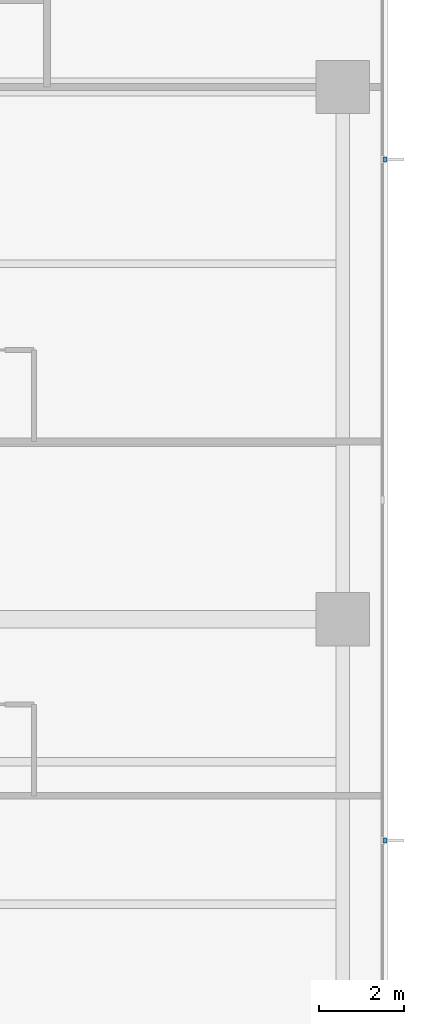
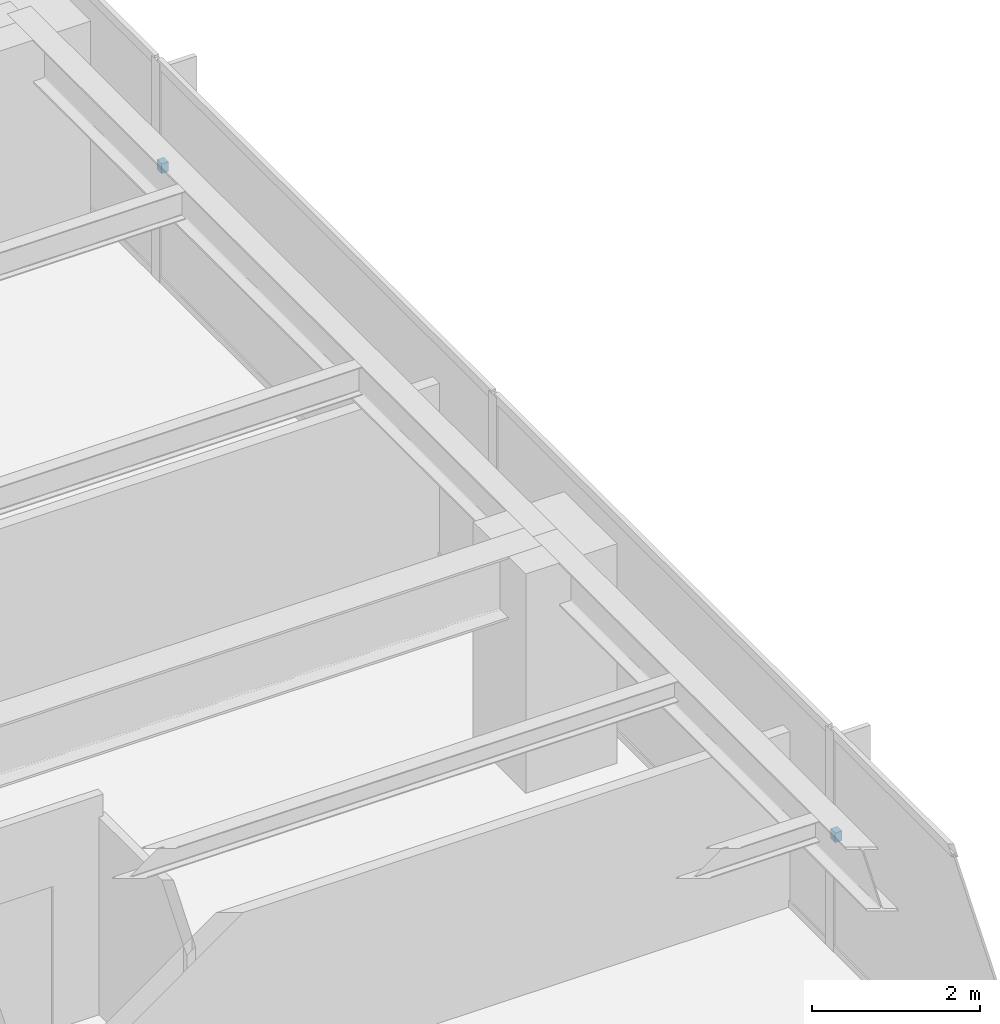
# One storey, part 13 of 16: 2 discrete accessories.
"""IFC4 building model written with IfcOpenShell, lengths in metres."""

from ifc_helpers import new_model, si_unit, direction, frame, origin, place, context, subcontext, project, spatial, polyline, outline, extrude, material, type_object, element, save


model = new_model("IFC4")

# Units and contexts
model_context = context("Model", 3, precision=1e-05, world=origin(), true_north=direction((0.0, 1.0)))
body_context = subcontext(model_context, "Body", "Model", "MODEL_VIEW")
ifc_project = project(units=[si_unit("LENGTHUNIT", "METRE"), si_unit("AREAUNIT", "SQUARE_METRE"), si_unit("VOLUMEUNIT", "CUBIC_METRE"), si_unit("PLANEANGLEUNIT", "RADIAN"), si_unit("MASSUNIT", "GRAM", prefix="KILO")], contexts=[model_context])

# Site, building, storey
site_placement = place(None, origin())
site = spatial("IfcSite", under=ifc_project, at=site_placement, CompositionType="ELEMENT")
building_placement = place(site_placement, origin())
building = spatial("IfcBuilding", under=site, at=building_placement, Name="Qalmaran Belvedere Hotel", CompositionType="ELEMENT")
storey_placement = place(building_placement, frame((0.0, 0.0, 126.699951171875)))
storey = spatial("IfcBuildingStorey", under=building, at=storey_placement, Name="L32", CompositionType="ELEMENT", Elevation=126.699951171875)

# Discrete accessories
ifc_material = material(Name="Stainless Steel 1.4401", Category="steel")
discrete_accessory_type = type_object("IfcDiscreteAccessoryType", Name="BRK-FIN-SS316", PredefinedType="BRACKET", material=ifc_material)
discrete_accessory_1_placement = place(storey_placement, frame((0.0, 0.0, 1.5400390625)))
element("IfcDiscreteAccessory", 1, at=discrete_accessory_1_placement, inside=storey, type_object=discrete_accessory_type, Name="L32 Fin Bracket 1", PredefinedType="BRACKET", context=body_context, shape_type="SweptSolid", body=[
    extrude(outline(polyline([(58.89501953125, 15.2451171875), (58.989990234375, 15.2451171875), (58.989990234375, 15.35498046875), (58.89501953125, 15.35498046875), (58.89501953125, 15.2451171875)])), origin(), (0.0, 0.0, 1.0), 0.139892578125),
])
discrete_accessory_2_placement = place(storey_placement, frame((0.0, 0.0, 1.5400390625)))
element("IfcDiscreteAccessory", 2, at=discrete_accessory_2_placement, inside=storey, type_object=discrete_accessory_type, Name="L32 Fin Bracket 3", PredefinedType="BRACKET", context=body_context, shape_type="SweptSolid", body=[
    extrude(outline(polyline([(58.89501953125, 31.2451171875), (58.989990234375, 31.2451171875), (58.989990234375, 31.35498046875), (58.89501953125, 31.35498046875), (58.89501953125, 31.2451171875)])), origin(), (0.0, 0.0, 1.0), 0.139892578125),
])

save(model, "model.ifc")
